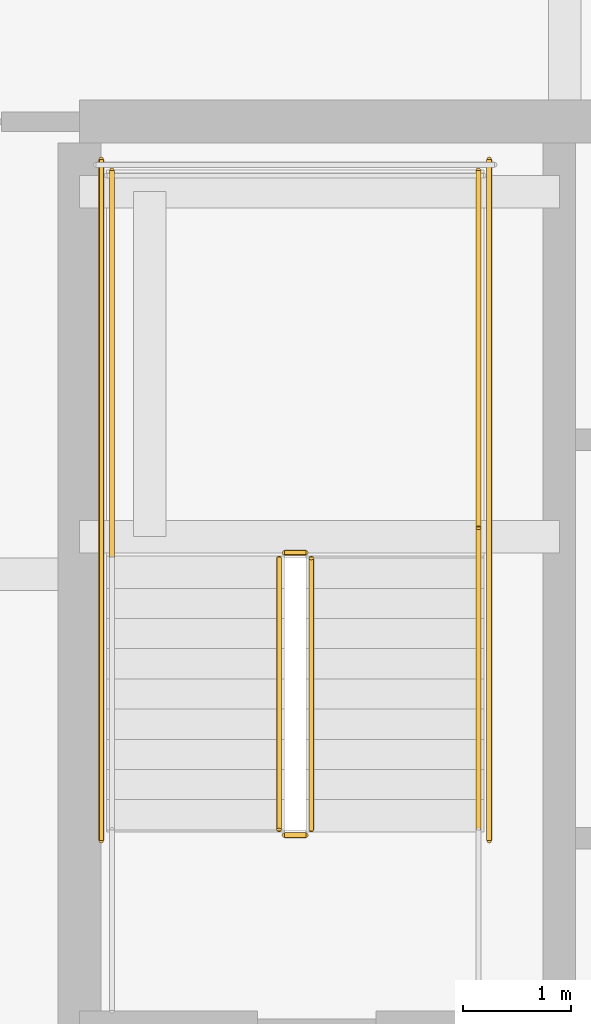
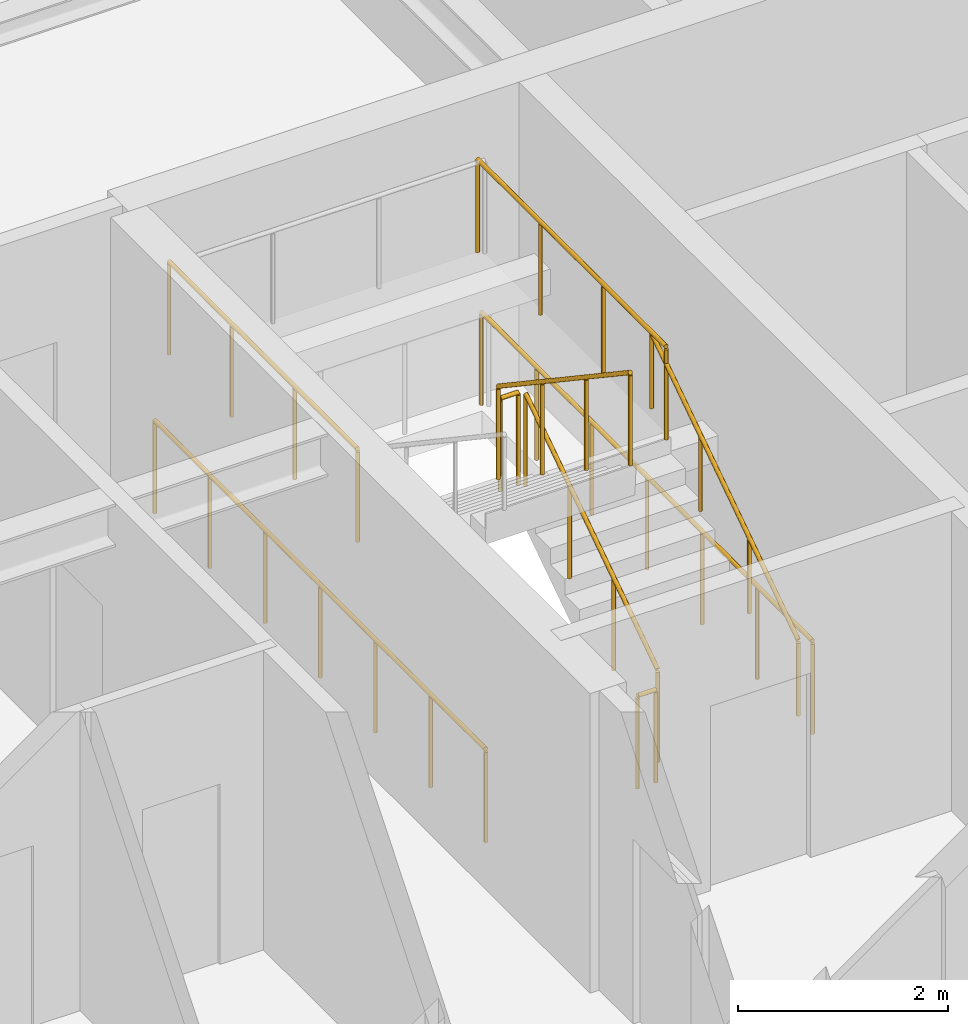
# One storey, part 34 of 37: 9 railings.
"""IFC4 building model written with IfcOpenShell, lengths in metres."""

from ifc_helpers import new_model, si_unit, direction, frame, origin, origin_2d, place, context, subcontext, project, spatial, circle, extrude, material, type_object, element, save


model = new_model("IFC4")

# Units and contexts
model_context = context("Model", 3, precision=1e-05, world=origin(), true_north=direction((0.0, 1.0)))
body_context = subcontext(model_context, "Body", "Model", "MODEL_VIEW")
ifc_project = project(units=[si_unit("LENGTHUNIT", "METRE"), si_unit("AREAUNIT", "SQUARE_METRE"), si_unit("VOLUMEUNIT", "CUBIC_METRE"), si_unit("PLANEANGLEUNIT", "RADIAN"), si_unit("MASSUNIT", "GRAM", prefix="KILO")], contexts=[model_context])

# Site, building, storey
site_placement = place(None, origin())
site = spatial("IfcSite", under=ifc_project, at=site_placement, CompositionType="ELEMENT")
building_placement = place(site_placement, origin())
building = spatial("IfcBuilding", under=site, at=building_placement, Name="Serunith Strait Residences", CompositionType="ELEMENT")
storey_placement = place(building_placement, frame((0.0, 0.0, 138.89990234375)))
storey = spatial("IfcBuildingStorey", under=building, at=storey_placement, Name="L34", CompositionType="ELEMENT", Elevation=138.89990234375)

# Railings
ifc_material = material(Name="Brushed stainless steel 316L", Category="steel")
railing_type_1 = type_object("IfcRailingType", Name="RLG-STAIR-GUARD", PredefinedType="BALUSTRADE", material=ifc_material)
railing_1_placement = place(storey_placement, frame((25.550048828125, 27.030029296875, 0.1875)))
element("IfcRailing", 1, at=railing_1_placement, inside=storey, type_object=railing_type_1, Name="L34 ST-1 stair guard 1", PredefinedType="BALUSTRADE", context=body_context, shape_type="SweptSolid", body=[
    extrude(circle(Radius=0.02392578125, at=origin_2d()), frame((0.0, 0.001708984375, 1.0771484375), z_axis=(0.0, 0.830909170722, 0.55640807867), x_axis=(-1.0, 0.0, 0.0)), (0.0, 0.0, 1.0), 3.02880859375),
    extrude(circle(Radius=0.02099609375, at=origin_2d()), origin(), (0.0, 0.0, 1.0), 1.050048828125),
    extrude(circle(Radius=0.02099609375, at=origin_2d()), frame((0.0, 0.840087890625, 0.5625)), (0.0, 0.0, 1.0), 1.050048828125),
    extrude(circle(Radius=0.02099609375, at=origin_2d()), frame((0.0, 1.679931640625, 1.125)), (0.0, 0.0, 1.0), 1.050048828125),
    extrude(circle(Radius=0.02099609375, at=origin_2d()), frame((0.0, 2.52001953125, 1.6875)), (0.0, 0.0, 1.0), 1.050048828125),
])
railing_2_placement = place(storey_placement, frame((25.5, 29.60009765625, 1.875)))
element("IfcRailing", 2, at=railing_2_placement, inside=storey, type_object=railing_type_1, Name="L34 ST-1 stair guard 2", PredefinedType="BALUSTRADE", context=body_context, shape_type="SweptSolid", body=[
    extrude(circle(Radius=0.02392578125, at=origin_2d()), frame((-0.001953125, 0.0, 1.076171875), z_axis=(-1.0, 0.0, 0.0), x_axis=(0.0, -1.0, 0.0)), (0.0, 0.0, 1.0), 0.196044921875),
    extrude(circle(Radius=0.02099609375, at=origin_2d()), origin(), (0.0, 0.0, 1.0), 1.050048828125),
    extrude(circle(Radius=0.02099609375, at=origin_2d()), frame((-0.199951171875, 0.0, 0.0)), (0.0, 0.0, 1.0), 1.050048828125),
])
for number, where, name in (
    (3, (27.10009765625, 29.550048828125, 1.875), "L34 ST-1 stair guard 3"),
    (4, (23.699951171875, 29.550048828125, 1.875), "L34 ST-1 stair guard 4"),
):
    element("IfcRailing", number, at=place(storey_placement, frame(where)), inside=storey, type_object=railing_type_1, Name=name, PredefinedType="BALUSTRADE", context=body_context, shape_type="SweptSolid", body=[
        extrude(circle(Radius=0.02392578125, at=origin_2d()), frame((0.0, 0.001953125, 1.076171875), z_axis=(0.0, 1.0, 0.0), x_axis=(-1.0, 0.0, 0.0)), (0.0, 0.0, 1.0), 3.595947265625),
        extrude(circle(Radius=0.02099609375, at=origin_2d()), origin(), (0.0, 0.0, 1.0), 1.050048828125),
        extrude(circle(Radius=0.02099609375, at=origin_2d()), frame((0.0, 1.199951171875, 0.0)), (0.0, 0.0, 1.0), 1.050048828125),
        extrude(circle(Radius=0.02099609375, at=origin_2d()), frame((0.0, 2.39990234375, 0.0)), (0.0, 0.0, 1.0), 1.050048828125),
        extrude(circle(Radius=0.02099609375, at=origin_2d()), frame((0.0, 3.599853515625, 0.0)), (0.0, 0.0, 1.0), 1.050048828125),
    ])
railing_3_placement = place(storey_placement, frame((25.25, 29.550048828125, 2.0625)))
element("IfcRailing", 5, at=railing_3_placement, inside=storey, type_object=railing_type_1, Name="L34 ST-1 stair guard 6", PredefinedType="BALUSTRADE", context=body_context, shape_type="SweptSolid", body=[
    extrude(circle(Radius=0.02392578125, at=origin_2d()), frame((0.0, -0.001708984375, 1.0771484375), z_axis=(0.0, -0.830909170722, 0.55640807867), x_axis=(1.0, 0.0, 0.0)), (0.0, 0.0, 1.0), 3.02880859375),
    extrude(circle(Radius=0.02099609375, at=origin_2d()), origin(), (0.0, 0.0, 1.0), 1.050048828125),
    extrude(circle(Radius=0.02099609375, at=origin_2d()), frame((0.0, -0.840087890625, 0.5625)), (0.0, 0.0, 1.0), 1.050048828125),
    extrude(circle(Radius=0.02099609375, at=origin_2d()), frame((0.0, -1.679931640625, 1.125)), (0.0, 0.0, 1.0), 1.050048828125),
    extrude(circle(Radius=0.02099609375, at=origin_2d()), frame((0.0, -2.52001953125, 1.6875)), (0.0, 0.0, 1.0), 1.050048828125),
])
railing_4_placement = place(storey_placement, frame((25.5, 26.97998046875, 0.0)))
element("IfcRailing", 6, at=railing_4_placement, inside=storey, type_object=railing_type_1, Name="L34 ST-1 stair guard 7", PredefinedType="BALUSTRADE", context=body_context, shape_type="SweptSolid", body=[
    extrude(circle(Radius=0.02392578125, at=origin_2d()), frame((-0.001953125, 0.0, 1.076171875), z_axis=(-1.0, 0.0, 0.0), x_axis=(0.0, -1.0, 0.0)), (0.0, 0.0, 1.0), 0.196044921875),
    extrude(circle(Radius=0.02099609375, at=origin_2d()), origin(), (0.0, 0.0, 1.0), 1.050048828125),
    extrude(circle(Radius=0.02099609375, at=origin_2d()), frame((-0.199951171875, 0.0, 0.0)), (0.0, 0.0, 1.0), 1.050048828125),
])
for number, where, name in (
    (7, (27.199951171875, 26.929931640625, 0.0), "L34 ST-1 stair guard 10"),
    (8, (23.60009765625, 26.929931640625, 0.0), "L34 ST-1 stair guard 11"),
):
    element("IfcRailing", number, at=place(storey_placement, frame(where)), inside=storey, type_object=railing_type_1, Name=name, PredefinedType="BALUSTRADE", context=body_context, shape_type="SweptSolid", body=[
        extrude(circle(Radius=0.02392578125, at=origin_2d()), frame((0.0, 0.001953125, 1.076171875), z_axis=(0.0, 1.0, 0.0), x_axis=(-1.0, 0.0, 0.0)), (0.0, 0.0, 1.0), 6.316162109375),
        extrude(circle(Radius=0.02099609375, at=origin_2d()), origin(), (0.0, 0.0, 1.0), 1.050048828125),
        extrude(circle(Radius=0.02099609375, at=origin_2d()), frame((0.0, 1.05322265625, 0.0)), (0.0, 0.0, 1.0), 1.050048828125),
        extrude(circle(Radius=0.02099609375, at=origin_2d()), frame((0.0, 2.106689453125, 0.0)), (0.0, 0.0, 1.0), 1.050048828125),
        extrude(circle(Radius=0.02099609375, at=origin_2d()), frame((0.0, 3.16015625, 0.0)), (0.0, 0.0, 1.0), 1.050048828125),
        extrude(circle(Radius=0.02099609375, at=origin_2d()), frame((0.0, 4.21337890625, 0.0)), (0.0, 0.0, 1.0), 1.050048828125),
        extrude(circle(Radius=0.02099609375, at=origin_2d()), frame((0.0, 5.2666015625, 0.0)), (0.0, 0.0, 1.0), 1.050048828125),
        extrude(circle(Radius=0.02099609375, at=origin_2d()), frame((0.0, 6.320068359375, 0.0)), (0.0, 0.0, 1.0), 1.050048828125),
    ])
railing_type_2 = type_object("IfcRailingType", Name="RLG-STAIR-HR", PredefinedType="HANDRAIL", material=ifc_material)
railing_5_placement = place(storey_placement, frame((27.10009765625, 27.030029296875, 0.1875)))
element("IfcRailing", 9, at=railing_5_placement, inside=storey, type_object=railing_type_2, Name="L34 ST-1 stair handrail 1", PredefinedType="HANDRAIL", context=body_context, shape_type="SweptSolid", body=[
    extrude(circle(Radius=0.02392578125, at=origin_2d()), frame((0.0, 0.001708984375, 0.876953125), z_axis=(0.0, 0.830208209119, 0.557453432594), x_axis=(-1.0, 0.0, 0.0)), (0.0, 0.0, 1.0), 3.36865234375),
    extrude(circle(Radius=0.02099609375, at=origin_2d()), origin(), (0.0, 0.0, 1.0), 0.849853515625),
    extrude(circle(Radius=0.02099609375, at=origin_2d()), frame((0.0, 0.933349609375, 0.626708984375)), (0.0, 0.0, 1.0), 0.849853515625),
    extrude(circle(Radius=0.02099609375, at=origin_2d()), frame((0.0, 1.86669921875, 1.25341796875)), (0.0, 0.0, 1.0), 0.849853515625),
    extrude(circle(Radius=0.02099609375, at=origin_2d()), frame((0.0, 2.800048828125, 1.880126953125)), (0.0, 0.0, 1.0), 0.849853515625),
])

save(model, "model.ifc")
